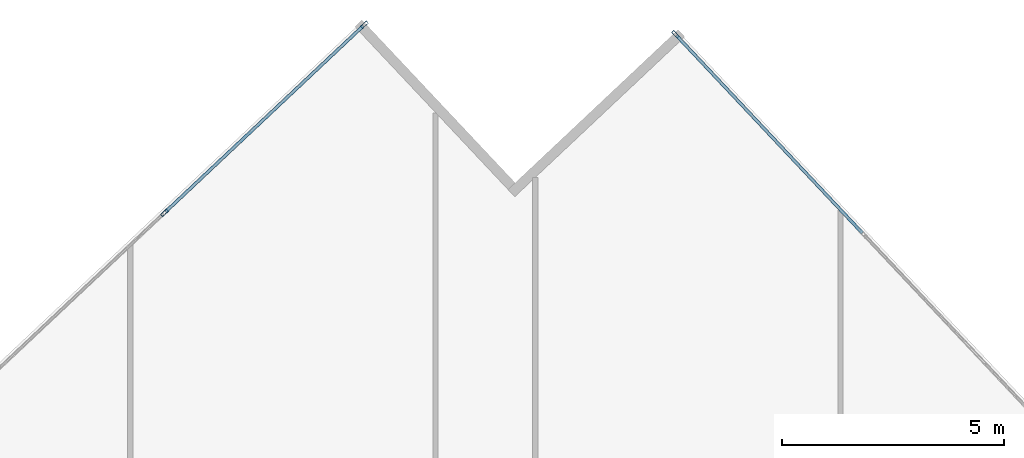
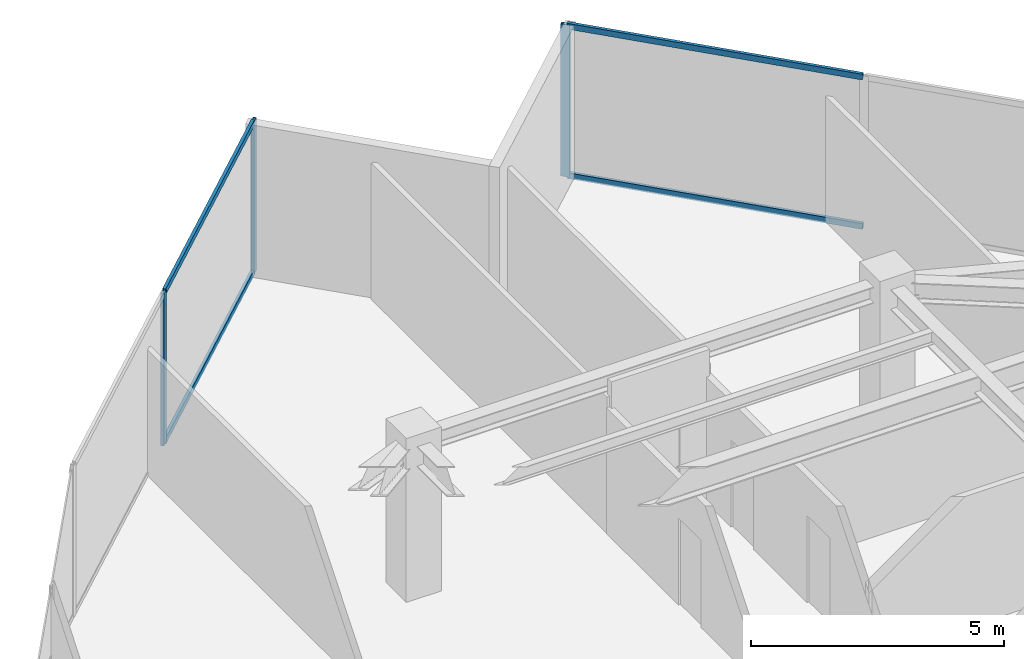
# One storey, part 16 of 25: 7 members, 2 elements without a shape of their own.
"""IFC4 building model written with IfcOpenShell, lengths in metres."""

from ifc_helpers import new_model, si_unit, direction, frame, origin, origin_2d, place, context, subcontext, project, spatial, hollow_rectangle, extrude, source, transform, mapped, material, material_profile, profile_set, type_object, type_shapes, element, aggregate, save


model = new_model("IFC4")

# Units and contexts
model_context = context("Model", 3, precision=1e-05, world=origin(), true_north=direction((0.0, 1.0)))
body_context = subcontext(model_context, "Body", "Model", "MODEL_VIEW")
ifc_project = project(units=[si_unit("LENGTHUNIT", "METRE"), si_unit("AREAUNIT", "SQUARE_METRE"), si_unit("VOLUMEUNIT", "CUBIC_METRE"), si_unit("PLANEANGLEUNIT", "RADIAN"), si_unit("MASSUNIT", "GRAM", prefix="KILO")], contexts=[model_context])

# Site, building, storey
site_placement = place(None, origin())
site = spatial("IfcSite", under=ifc_project, at=site_placement, CompositionType="ELEMENT")
building_placement = place(site_placement, origin())
building = spatial("IfcBuilding", under=site, at=building_placement, Name="Krantzveldt Concourse Tower", CompositionType="ELEMENT")
storey_placement = place(building_placement, frame((0.0, 0.0, 238.89990234375)))
storey = spatial("IfcBuildingStorey", under=building, at=storey_placement, Name="L58", CompositionType="ELEMENT", Elevation=238.89990234375)

# Curtain wall, members
ifc_material = material(Name="Anodised aluminium 6063-T6", Category="aluminium")
curtain_wall_type = type_object("IfcCurtainWallType", Name="CW3", PredefinedType="USERDEFINED", material=ifc_material)
curtain_wall_1_placement = place(storey_placement, origin())
curtain_wall_1 = element("IfcCurtainWall", 1, at=curtain_wall_1_placement, inside=storey, type_object=curtain_wall_type, Name="CW-L58-F01", ObjectType="UNITISED CURTAIN WALL", PredefinedType="USERDEFINED")
ifc_material_profile_1 = material_profile(ifc_material, hollow_rectangle(XDim=0.070068359375, YDim=0.179931640625, WallThickness=0.0048828125, at=origin_2d()), Name="Anodised aluminium 6063-T6", Category="aluminium")
ifc_profile_set_1 = profile_set([ifc_material_profile_1], Name="Anodised aluminium 6063-T6 - ALU-MULL 180x70x5")
member_type_1 = type_object("IfcMemberType", Name="CW-MUL-180", PredefinedType="MULLION", material=ifc_profile_set_1)
shared_shape_1 = source(origin(), body_context, "Body", "SweptSolid", [
    extrude(hollow_rectangle(XDim=0.070068359375, YDim=0.179931640625, WallThickness=0.0048828125, at=origin_2d()), origin(), (0.0, 0.0, 1.0), 3.670166015625),
])
type_shapes(member_type_1, [shared_shape_1])
member_1_placement = place(storey_placement, frame((33.27978515625, 52.162353515625, 0.0), z_axis=(0.0, 0.0, 1.0), x_axis=(0.685182945184, -0.728371012348, 0.0)))
member_1 = element("IfcMember", 2, at=member_1_placement, type_object=member_type_1, Name="CW-Z34 mullion 1", PredefinedType="MULLION", context=body_context, shape_type="MappedRepresentation", body=[
    mapped(shared_shape_1, transform((0.0, 0.0, 0.0), x_axis=(1.0, 0.0, 0.0), y_axis=(0.0, 1.0, 0.0), z_axis=(0.0, 0.0, 1.0), scale=1.0)),
])
member_2_placement = place(storey_placement, frame((28.789306640625, 47.938232421875, 0.0), z_axis=(0.0, 0.0, 1.0), x_axis=(0.685182945184, -0.728371012348, 0.0)))
member_2 = element("IfcMember", 3, at=member_2_placement, type_object=member_type_1, Name="CW-Z34 mullion 2", PredefinedType="MULLION", context=body_context, shape_type="MappedRepresentation", body=[
    mapped(shared_shape_1, transform((0.0, 0.0, 0.0), x_axis=(1.0, 0.0, 0.0), y_axis=(0.0, 1.0, 0.0), z_axis=(0.0, 0.0, 1.0), scale=1.0)),
])

# Curtain wall, member
curtain_wall_2_placement = place(storey_placement, origin())
curtain_wall_2 = element("IfcCurtainWall", 4, at=curtain_wall_2_placement, inside=storey, type_object=curtain_wall_type, Name="CW-L58-F14", ObjectType="UNITISED CURTAIN WALL", PredefinedType="USERDEFINED")
member_3_placement = place(storey_placement, frame((40.269775390625, 51.94873046875, 0.0), z_axis=(0.0, 0.0, 1.0), x_axis=(-0.728371012348, -0.685182945184, 0.0)))
member_3 = element("IfcMember", 5, at=member_3_placement, type_object=member_type_1, Name="CW-Z34 mullion 6", PredefinedType="MULLION", context=body_context, shape_type="MappedRepresentation", body=[
    mapped(shared_shape_1, transform((0.0, 0.0, 0.0), x_axis=(1.0, 0.0, 0.0), y_axis=(0.0, 1.0, 0.0), z_axis=(0.0, 0.0, 1.0), scale=1.0)),
])

# Member
ifc_material_profile_2 = material_profile(ifc_material, hollow_rectangle(XDim=0.070068359375, YDim=0.139892578125, WallThickness=0.0048828125, at=origin_2d()), Name="Anodised aluminium 6063-T6", Category="aluminium")
ifc_profile_set_2 = profile_set([ifc_material_profile_2], Name="Anodised aluminium 6063-T6 - ALU-TRAN 140x70x5")
member_type_2 = type_object("IfcMemberType", Name="CW-TRN-150", PredefinedType="USERDEFINED", material=ifc_profile_set_2)
shared_shape_2 = source(origin(), body_context, "Body", "SweptSolid", [
    extrude(hollow_rectangle(XDim=0.070068359375, YDim=0.139892578125, WallThickness=0.0048828125, at=origin_2d()), origin(), (0.0, 0.0, 1.0), 6.094970703125),
])
type_shapes(member_type_2, [shared_shape_2])
member_4_placement = place(storey_placement, frame((33.254150390625, 52.138427734375, 0.03515625), z_axis=(-0.728366954224, -0.685187259072, 0.0), x_axis=(0.685187259072, -0.728366954224, 0.0)))
member_4 = element("IfcMember", 6, at=member_4_placement, type_object=member_type_2, Name="CW-Z34 transom 1.1", ObjectType="TRANSOM", PredefinedType="USERDEFINED", context=body_context, shape_type="MappedRepresentation", body=[
    mapped(shared_shape_2, transform((0.0, 0.0, 0.0), x_axis=(1.0, 0.0, 0.0), y_axis=(0.0, 1.0, 0.0), z_axis=(0.0, 0.0, 1.0), scale=1.0)),
])

member_5_placement = place(storey_placement, frame((33.254150390625, 52.138427734375, 3.635009765625), z_axis=(-0.728366954224, -0.685187259072, 0.0), x_axis=(0.685187259072, -0.728366954224, 0.0)))
member_5 = element("IfcMember", 7, at=member_5_placement, type_object=member_type_2, Name="CW-Z34 transom 1.2", ObjectType="TRANSOM", PredefinedType="USERDEFINED", context=body_context, shape_type="MappedRepresentation", body=[
    mapped(shared_shape_2, transform((0.0, 0.0, 0.0), x_axis=(1.0, 0.0, 0.0), y_axis=(0.0, 1.0, 0.0), z_axis=(0.0, 0.0, 1.0), scale=1.0)),
])

aggregate(curtain_wall_1, [member_1, member_2, member_4, member_5])

member_6_placement = place(storey_placement, frame((44.469970703125, 47.48388671875, 0.03515625), z_axis=(-0.685187259072, 0.728366954224, 0.0), x_axis=(-0.728366954224, -0.685187259072, 0.0)))
member_6 = element("IfcMember", 8, at=member_6_placement, type_object=member_type_2, Name="CW-Z34 transom 5.1", ObjectType="TRANSOM", PredefinedType="USERDEFINED", context=body_context, shape_type="MappedRepresentation", body=[
    mapped(shared_shape_2, transform((0.0, 0.0, 0.0), x_axis=(1.0, 0.0, 0.0), y_axis=(0.0, 1.0, 0.0), z_axis=(0.0, 0.0, 1.0), scale=1.0)),
])

member_7_placement = place(storey_placement, frame((44.469970703125, 47.48388671875, 3.635009765625), z_axis=(-0.685187259072, 0.728366954224, 0.0), x_axis=(-0.728366954224, -0.685187259072, 0.0)))
member_7 = element("IfcMember", 9, at=member_7_placement, type_object=member_type_2, Name="CW-Z34 transom 5.2", ObjectType="TRANSOM", PredefinedType="USERDEFINED", context=body_context, shape_type="MappedRepresentation", body=[
    mapped(shared_shape_2, transform((0.0, 0.0, 0.0), x_axis=(1.0, 0.0, 0.0), y_axis=(0.0, 1.0, 0.0), z_axis=(0.0, 0.0, 1.0), scale=1.0)),
])

aggregate(curtain_wall_2, [member_3, member_6, member_7])

save(model, "model.ifc")
